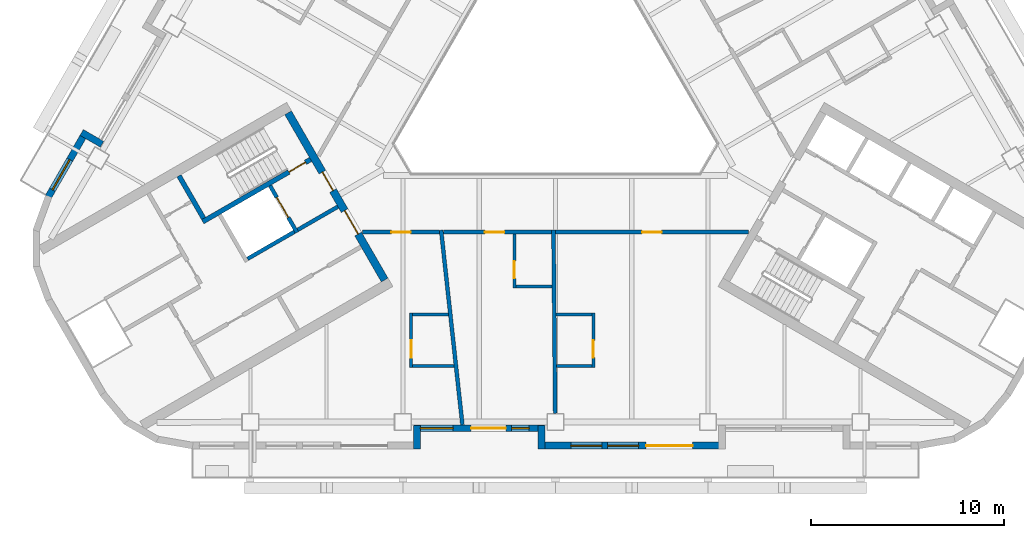
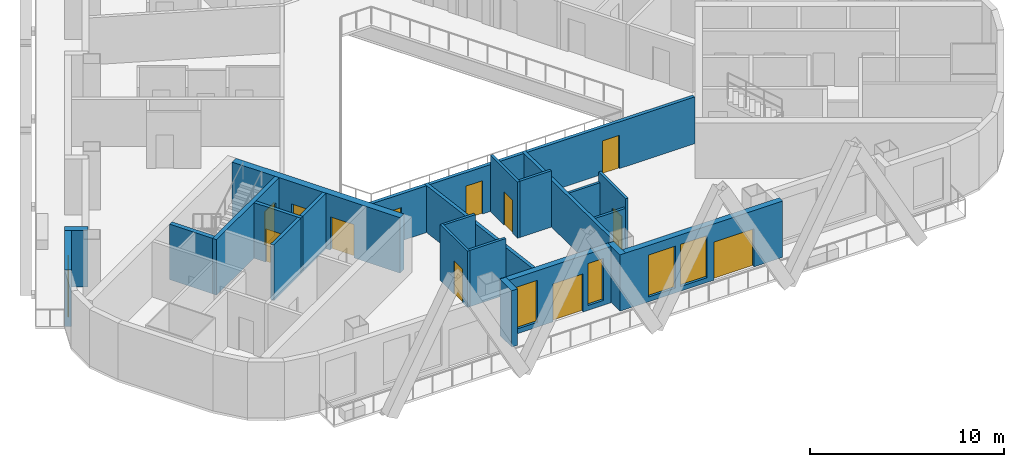
# One storey, part 3 of 14: 25 walls, 12 doors, 5 windows, 17 openings.
"""IFC4 building model written with IfcOpenShell, lengths in metres."""

from ifc_helpers import new_model, si_unit, direction, frame, frame_2d, origin, place, context, subcontext, project, spatial, rectangle, extrude, material, layer, layer_set, type_object, element, fill, save


model = new_model("IFC4")

# Units and contexts
model_context = context("Model", 3, precision=1e-05, world=origin(), true_north=direction((0.0, 1.0)))
body_context = subcontext(model_context, "Body", "Model", "MODEL_VIEW")
ifc_project = project(units=[si_unit("LENGTHUNIT", "METRE"), si_unit("AREAUNIT", "SQUARE_METRE"), si_unit("VOLUMEUNIT", "CUBIC_METRE"), si_unit("PLANEANGLEUNIT", "RADIAN"), si_unit("MASSUNIT", "GRAM", prefix="KILO")], contexts=[model_context])

# Site, building, storey
site_placement = place(None, origin())
site = spatial("IfcSite", under=ifc_project, at=site_placement, CompositionType="ELEMENT")
building_placement = place(site_placement, origin())
building = spatial("IfcBuilding", under=site, at=building_placement, Name="Apuvela Tower Hotel", CompositionType="ELEMENT")
storey_placement = place(building_placement, frame((0.0, 0.0, 120.5)))
storey = spatial("IfcBuildingStorey", under=building, at=storey_placement, Name="L28", CompositionType="ELEMENT", Elevation=120.5)

# Wall, openings, doors
ifc_material_1 = material(Name="Concrete C50/60", Category="concrete")
ifc_layer_1 = layer(ifc_material_1, 0.39990234375)
ifc_layer_set_1 = layer_set([ifc_layer_1], Name="COR-WALL-CORE-400")
wall_type_1 = type_object("IfcWallType", Name="COR-WALL-CORE-400", PredefinedType="SHEAR", material=ifc_layer_set_1)
wall_1_placement = place(storey_placement, frame((-13.844970703125, -2.219970703125, 0.0), z_axis=(0.0, 0.0, 1.0), x_axis=(0.500004234368, -0.866022959057, 0.0)))
wall_1 = element("IfcWall", 1, at=wall_1_placement, inside=storey, type_object=wall_type_1, Name="Core wall SW", PredefinedType="SHEAR", context=body_context, shape_type="SweptSolid", body=[
    extrude(rectangle(XDim=10.0, YDim=0.39990234375, at=frame_2d((5.0, 0.0))), origin(), (0.0, 0.0, 1.0), 3.5),
])
opening_1_placement = place(wall_1_placement, frame((3.550048828125, 0.0, 0.0)))
opening_1 = element("IfcOpeningElement", 2, at=opening_1_placement, cuts=wall_1, Name="Opening W-FD", PredefinedType="OPENING", context=body_context, shape_type="SweptSolid", body=[
    extrude(rectangle(XDim=1.10009765625, YDim=2.10009765625, at=frame_2d((0.550048828125, 1.050048828125))), frame((0.0, 0.2099609375, 0.0), z_axis=(0.0, -1.0, 0.0), x_axis=(1.0, 0.0, 0.0)), (0.0, 0.0, 1.0), 0.419921875),
])
opening_2_placement = place(wall_1_placement, frame((5.85009765625, 0.0, 0.0)))
opening_2 = element("IfcOpeningElement", 3, at=opening_2_placement, cuts=wall_1, Name="Opening W-GD", PredefinedType="OPENING", context=body_context, shape_type="SweptSolid", body=[
    extrude(rectangle(XDim=1.39990234375, YDim=2.10009765625, at=frame_2d((0.699951171875, 1.050048828125))), frame((0.0, 0.2099609375, 0.0), z_axis=(0.0, -1.0, 0.0), x_axis=(1.0, 0.0, 0.0)), (0.0, 0.0, 1.0), 0.419921875),
])
ifc_material_2 = material(Name="Steel fire door, powder coated", Category="steel")
door_type_1 = type_object("IfcDoorType", Name="COR-FD-1100", OperationType="NOTDEFINED", PredefinedType="DOOR", material=ifc_material_2)
door_1_placement = place(opening_1_placement, frame((1.10009765625, 0.0, 0.0), z_axis=(0.0, 0.0, 1.0), x_axis=(-1.0, 0.0, 0.0)))
door_1 = element("IfcDoor", 4, at=door_1_placement, inside=storey, type_object=door_type_1, Name="Firefighting lobby door W-FD", OperationType="SINGLE_SWING_LEFT", OverallHeight=2.10009765625, OverallWidth=1.10009765625, PredefinedType="DOOR", context=body_context, shape_type="SweptSolid", body=[
    extrude(rectangle(XDim=1.10009765625, YDim=2.10009765625, at=frame_2d((0.550048828125, 1.050048828125))), frame((0.0, 0.02490234375, 0.0), z_axis=(0.0, -1.0, 0.0), x_axis=(1.0, 0.0, 0.0)), (0.0, 0.0, 1.0), 0.050048828125),
])
fill(opening_1, door_1)
ifc_material_3 = material(Name="Glazed steel fire door", Category="steel")
door_type_2 = type_object("IfcDoorType", Name="COR-GD-1400", OperationType="DOUBLE_DOOR_SINGLE_SWING", PredefinedType="DOOR", material=ifc_material_3)
door_2_placement = place(opening_2_placement, frame((1.39990234375, 0.0, 0.0), z_axis=(0.0, 0.0, 1.0), x_axis=(-1.0, 0.0, 0.0)))
door_2 = element("IfcDoor", 5, at=door_2_placement, inside=storey, type_object=door_type_2, Name="Lift lobby door W-GD", OperationType="DOUBLE_DOOR_SINGLE_SWING", OverallHeight=2.10009765625, OverallWidth=1.39990234375, PredefinedType="DOOR", context=body_context, shape_type="SweptSolid", body=[
    extrude(rectangle(XDim=1.39990234375, YDim=2.10009765625, at=frame_2d((0.699951171875, 1.050048828125))), frame((0.0, 0.02490234375, 0.0), z_axis=(0.0, -1.0, 0.0), x_axis=(1.0, 0.0, 0.0)), (0.0, 0.0, 1.0), 0.050048828125),
])
fill(opening_2, door_2)

# Wall, opening, door
ifc_layer_2 = layer(ifc_material_1, 0.199951171875)
ifc_layer_set_2 = layer_set([ifc_layer_2], Name="COR-WALL-SHAFT-200")
wall_type_2 = type_object("IfcWallType", Name="COR-WALL-SHAFT-200", PredefinedType="SHEAR", material=ifc_layer_set_2)
wall_2_placement = place(storey_placement, frame((-14.783203125, -5.99462890625, 0.0), z_axis=(0.0, 0.0, 1.0), x_axis=(0.49994636267, -0.866056369097, 0.0)))
wall_2 = element("IfcWall", 6, at=wall_2_placement, inside=storey, type_object=wall_type_2, Name="Shaft wall SW", PredefinedType="SHEAR", context=body_context, shape_type="SweptSolid", body=[
    extrude(rectangle(XDim=2.800048828125, YDim=0.199951171875, at=frame_2d((1.39990234375, 0.0))), origin(), (0.0, 0.0, 1.0), 3.5),
])
opening_3_placement = place(wall_2_placement, frame((0.699951171875, 0.0, 0.0)))
opening_3 = element("IfcOpeningElement", 7, at=opening_3_placement, cuts=wall_2, Name="Opening W-LD-FS2", PredefinedType="OPENING", context=body_context, shape_type="SweptSolid", body=[
    extrude(rectangle(XDim=1.199951171875, YDim=2.10009765625, at=frame_2d((0.60009765625, 1.050048828125))), frame((0.0, 0.10986328125, 0.0), z_axis=(0.0, -1.0, 0.0), x_axis=(1.0, 0.0, 0.0)), (0.0, 0.0, 1.0), 0.219970703125),
])
ifc_material_4 = material(Name="Stainless steel lift landing door", Category="steel")
door_type_3 = type_object("IfcDoorType", Name="COR-LD-1200", OperationType="DOUBLE_DOOR_SLIDING", PredefinedType="DOOR", material=ifc_material_4)
door_3_placement = place(opening_3_placement, origin())
door_3 = element("IfcDoor", 8, at=door_3_placement, inside=storey, type_object=door_type_3, Name="Lift landing door W-LD-FS2", OperationType="DOUBLE_DOOR_SLIDING", OverallHeight=2.10009765625, OverallWidth=1.199951171875, PredefinedType="DOOR", context=body_context, shape_type="SweptSolid", body=[
    extrude(rectangle(XDim=1.199951171875, YDim=2.10009765625, at=frame_2d((0.60009765625, 1.050048828125))), frame((0.0, 0.02490234375, 0.0), z_axis=(0.0, -1.0, 0.0), x_axis=(1.0, 0.0, 0.0)), (0.0, 0.0, 1.0), 0.050048828125),
])
fill(opening_3, door_3)

# Walls
wall_3_placement = place(storey_placement, frame((-13.519775390625, -8.383056640625, 0.0), z_axis=(0.0, 0.0, 1.0), x_axis=(-0.866034573852, -0.49998411664, 0.0)))
element("IfcWall", 9, at=wall_3_placement, inside=storey, type_object=wall_type_2, Name="Shaft wall SW", PredefinedType="SHEAR", context=body_context, shape_type="SweptSolid", body=[
    extrude(rectangle(XDim=2.7998046875, YDim=0.199951171875, at=frame_2d((1.39990234375, 0.0))), origin(), (0.0, 0.0, 1.0), 3.5),
])
wall_4_placement = place(storey_placement, frame((-11.26806640625, -7.0830078125, 0.0), z_axis=(0.0, 0.0, 1.0), x_axis=(-0.866050077142, -0.499957262057, 0.0)))
element("IfcWall", 10, at=wall_4_placement, inside=storey, type_object=wall_type_2, Name="Shaft wall SW", PredefinedType="SHEAR", context=body_context, shape_type="SweptSolid", body=[
    extrude(rectangle(XDim=2.400146484375, YDim=0.199951171875, at=frame_2d((1.2001953125, 0.0))), origin(), (0.0, 0.0, 1.0), 3.5),
])

# Wall, opening, door
ifc_layer_3 = layer(ifc_material_1, 0.25)
ifc_layer_set_3 = layer_set([ifc_layer_3], Name="COR-WALL-STAIR-250")
wall_type_3 = type_object("IfcWallType", Name="COR-WALL-STAIR-250", PredefinedType="SHEAR", material=ifc_layer_set_3)
wall_5_placement = place(storey_placement, frame((-12.6806640625, -4.636474609375, 0.0), z_axis=(0.0, 0.0, 1.0), x_axis=(-0.866021702275, -0.500006411147, 0.0)))
wall_5 = element("IfcWall", 11, at=wall_5_placement, inside=storey, type_object=wall_type_3, Name="Stair wall SW", PredefinedType="SHEAR", context=body_context, shape_type="SweptSolid", body=[
    extrude(rectangle(XDim=6.4501953125, YDim=0.25, at=frame_2d((3.22509765625, 0.0))), origin(), (0.0, 0.0, 1.0), 3.5),
])
opening_4_placement = place(wall_5_placement, frame((0.300048828125, 0.0, 0.0)))
opening_4 = element("IfcOpeningElement", 12, at=opening_4_placement, cuts=wall_5, Name="Opening W-SD", PredefinedType="OPENING", context=body_context, shape_type="SweptSolid", body=[
    extrude(rectangle(XDim=1.0, YDim=2.10009765625, at=frame_2d((0.5, 1.050048828125))), frame((0.0, 0.135009765625, 0.0), z_axis=(0.0, -1.0, 0.0), x_axis=(1.0, 0.0, 0.0)), (0.0, 0.0, 1.0), 0.27001953125),
])
door_type_4 = type_object("IfcDoorType", Name="COR-SD-1000", OperationType="NOTDEFINED", PredefinedType="DOOR", material=ifc_material_2)
door_4_placement = place(opening_4_placement, frame((1.0, 0.0, 0.0), z_axis=(0.0, 0.0, 1.0), x_axis=(-1.0, 0.0, 0.0)))
door_4 = element("IfcDoor", 13, at=door_4_placement, inside=storey, type_object=door_type_4, Name="Stair door W-SD", OperationType="SINGLE_SWING_LEFT", OverallHeight=2.10009765625, OverallWidth=1.0, PredefinedType="DOOR", context=body_context, shape_type="SweptSolid", body=[
    extrude(rectangle(XDim=1.0, YDim=2.10009765625, at=frame_2d((0.5, 1.050048828125))), frame((0.0, 0.02490234375, 0.0), z_axis=(0.0, -1.0, 0.0), x_axis=(1.0, 0.0, 0.0)), (0.0, 0.0, 1.0), 0.050048828125),
])
fill(opening_4, door_4)

# Walls
wall_6_placement = place(storey_placement, frame((-19.49560546875, -5.482421875, 0.0), z_axis=(0.0, 0.0, 1.0), x_axis=(0.499990435942, -0.866030925526, 0.0)))
element("IfcWall", 14, at=wall_6_placement, inside=storey, type_object=wall_type_3, Name="Stair wall SW", PredefinedType="SHEAR", context=body_context, shape_type="SweptSolid", body=[
    extrude(rectangle(XDim=2.5498046875, YDim=0.25, at=frame_2d((1.27490234375, 0.0))), origin(), (0.0, 0.0, 1.0), 3.5),
])
ifc_material_5 = material(Name="Concrete C40/50, dark pigmented precast panel", Category="concrete")
ifc_layer_4 = layer(ifc_material_5, 0.35009765625)
ifc_layer_set_4 = layer_set([ifc_layer_4], Name="ENV-WALL-350")
wall_type_4 = type_object("IfcWallType", Name="ENV-WALL-350", PredefinedType="SOLIDWALL", material=ifc_layer_set_4)
wall_7_placement = place(storey_placement, frame((-23.48095703125, -3.85009765625, 0.0), z_axis=(0.0, 0.0, 1.0), x_axis=(-0.866092288191, 0.499884134912, 0.0)))
element("IfcWall", 15, at=wall_7_placement, inside=storey, type_object=wall_type_4, Name="External wall L28-08", PredefinedType="SOLIDWALL", context=body_context, shape_type="SweptSolid", body=[
    extrude(rectangle(XDim=1.219970703125, YDim=0.35009765625, at=frame_2d((0.60986328125, 0.0))), origin(), (0.0, 0.0, 1.0), 3.550048828125),
])

# Wall, opening, window
wall_8_placement = place(storey_placement, frame((-24.298583984375, -3.17626953125, 0.0), z_axis=(0.0, 0.0, 1.0), x_axis=(-0.500028278809, -0.866009076391, 0.0)))
wall_8 = element("IfcWall", 16, at=wall_8_placement, inside=storey, type_object=wall_type_4, Name="External wall L28-09", PredefinedType="SOLIDWALL", context=body_context, shape_type="SweptSolid", body=[
    extrude(rectangle(XDim=3.915771484375, YDim=0.35009765625, at=frame_2d((1.9580078125, 0.0))), origin(), (0.0, 0.0, 1.0), 3.550048828125),
])
opening_5_placement = place(wall_8_placement, frame((1.699951171875, 0.0, 0.300048828125)))
opening_5 = element("IfcOpeningElement", 17, at=opening_5_placement, cuts=wall_8, Name="Opening WN18", PredefinedType="OPENING", context=body_context, shape_type="SweptSolid", body=[
    extrude(rectangle(XDim=1.800048828125, YDim=2.64990234375, at=frame_2d((0.89990234375, 1.324951171875))), frame((0.0, 0.18505859375, 0.0), z_axis=(0.0, -1.0, 0.0), x_axis=(1.0, 0.0, 0.0)), (0.0, 0.0, 1.0), 0.3701171875),
])
ifc_material_6 = material(Name="Glass, dark tinted laminated insulated glazing unit", Category="glass")
window_type_1 = type_object("IfcWindowType", Name="ENV-WIN-1800x2650", PartitioningType="SINGLE_PANEL", PredefinedType="WINDOW", material=ifc_material_6)
window_1_placement = place(opening_5_placement, origin())
window_1 = element("IfcWindow", 18, at=window_1_placement, inside=storey, type_object=window_type_1, Name="Window WN18", OverallHeight=2.64990234375, OverallWidth=1.800048828125, PartitioningType="SINGLE_PANEL", PredefinedType="WINDOW", context=body_context, shape_type="SweptSolid", body=[
    extrude(rectangle(XDim=1.800048828125, YDim=2.64990234375, at=frame_2d((0.89990234375, 1.324951171875))), frame((0.0, 0.030029296875, 0.0), z_axis=(0.0, -1.0, 0.0), x_axis=(1.0, 0.0, 0.0)), (0.0, 0.0, 1.0), 0.06005859375),
])
fill(opening_5, window_1)

# Wall
wall_9_placement = place(storey_placement, frame((-7.175048828125, -19.6298828125, 0.0), z_axis=(0.0, 0.0, 1.0), x_axis=(0.0, 1.0, 0.0)))
element("IfcWall", 19, at=wall_9_placement, inside=storey, type_object=wall_type_4, Name="External wall L28-18", PredefinedType="SOLIDWALL", context=body_context, shape_type="SweptSolid", body=[
    extrude(rectangle(XDim=1.219970703125, YDim=0.35009765625, at=frame_2d((0.60986328125, 0.0))), origin(), (0.0, 0.0, 1.0), 3.550048828125),
])

# Wall, openings, door, windows
wall_10_placement = place(storey_placement, frame((-7.320068359375, -18.554931640625, 0.0), z_axis=(0.0, 0.0, 1.0), x_axis=(1.0, 0.0, 0.0)))
wall_10 = element("IfcWall", 20, at=wall_10_placement, inside=storey, type_object=wall_type_4, Name="External wall L28-19", PredefinedType="SOLIDWALL", context=body_context, shape_type="SweptSolid", body=[
    extrude(rectangle(XDim=6.739990234375, YDim=0.35009765625, at=frame_2d((3.3701171875, 0.0))), origin(), (0.0, 0.0, 1.0), 3.550048828125),
])
opening_6_placement = place(wall_10_placement, frame((0.3203125, 0.0, 0.300048828125)))
opening_6 = element("IfcOpeningElement", 21, at=opening_6_placement, cuts=wall_10, Name="Opening WN17", PredefinedType="OPENING", context=body_context, shape_type="SweptSolid", body=[
    extrude(rectangle(XDim=1.699951171875, YDim=2.64990234375, at=frame_2d((0.85009765625, 1.324951171875))), frame((0.0, 0.18505859375, 0.0), z_axis=(0.0, -1.0, 0.0), x_axis=(1.0, 0.0, 0.0)), (0.0, 0.0, 1.0), 0.3701171875),
])
opening_7_placement = place(wall_10_placement, frame((2.951416015625, 0.0, 0.0)))
opening_7 = element("IfcOpeningElement", 22, at=opening_7_placement, cuts=wall_10, Name="Opening BD18", PredefinedType="OPENING", context=body_context, shape_type="SweptSolid", body=[
    extrude(rectangle(XDim=1.800048828125, YDim=2.39990234375, at=frame_2d((0.89990234375, 1.199951171875))), frame((0.0, 0.18505859375, 0.0), z_axis=(0.0, -1.0, 0.0), x_axis=(1.0, 0.0, 0.0)), (0.0, 0.0, 1.0), 0.3701171875),
])
opening_8_placement = place(wall_10_placement, frame((5.05126953125, 0.0, 0.300048828125)))
opening_8 = element("IfcOpeningElement", 23, at=opening_8_placement, cuts=wall_10, Name="Opening WN09", PredefinedType="OPENING", context=body_context, shape_type="SweptSolid", body=[
    extrude(rectangle(XDim=0.89990234375, YDim=2.64990234375, at=frame_2d((0.449951171875, 1.324951171875))), frame((0.0, 0.18505859375, 0.0), z_axis=(0.0, -1.0, 0.0), x_axis=(1.0, 0.0, 0.0)), (0.0, 0.0, 1.0), 0.3701171875),
])
ifc_material_7 = material(Name="Aluminium 6063-T6, dark bronze anodised frame with dark tinted laminated glass", Category="aluminium")
door_type_5 = type_object("IfcDoorType", Name="ENV-DOOR-BALCONY-1800x2400", OperationType="SLIDING_TO_LEFT", PredefinedType="DOOR", material=ifc_material_7)
door_5_placement = place(opening_7_placement, frame((1.800048828125, 0.0, 0.0), z_axis=(0.0, 0.0, 1.0), x_axis=(-1.0, 0.0, 0.0)))
door_5 = element("IfcDoor", 24, at=door_5_placement, inside=storey, type_object=door_type_5, Name="Balcony door BD18", OperationType="SLIDING_TO_LEFT", OverallHeight=2.39990234375, OverallWidth=1.800048828125, PredefinedType="DOOR", context=body_context, shape_type="SweptSolid", body=[
    extrude(rectangle(XDim=1.800048828125, YDim=2.39990234375, at=frame_2d((0.89990234375, 1.199951171875))), frame((0.0, 0.02490234375, 0.0), z_axis=(0.0, -1.0, 0.0), x_axis=(1.0, 0.0, 0.0)), (0.0, 0.0, 1.0), 0.050048828125),
])
fill(opening_7, door_5)
window_type_2 = type_object("IfcWindowType", Name="ENV-WIN-1700x2650", PartitioningType="SINGLE_PANEL", PredefinedType="WINDOW", material=ifc_material_6)
window_2_placement = place(opening_6_placement, origin())
window_2 = element("IfcWindow", 25, at=window_2_placement, inside=storey, type_object=window_type_2, Name="Window WN17", OverallHeight=2.64990234375, OverallWidth=1.699951171875, PartitioningType="SINGLE_PANEL", PredefinedType="WINDOW", context=body_context, shape_type="SweptSolid", body=[
    extrude(rectangle(XDim=1.699951171875, YDim=2.64990234375, at=frame_2d((0.85009765625, 1.324951171875))), frame((0.0, 0.030029296875, 0.0), z_axis=(0.0, -1.0, 0.0), x_axis=(1.0, 0.0, 0.0)), (0.0, 0.0, 1.0), 0.06005859375),
])
fill(opening_6, window_2)
window_type_3 = type_object("IfcWindowType", Name="ENV-WIN-900x2650", PartitioningType="SINGLE_PANEL", PredefinedType="WINDOW", material=ifc_material_6)
window_3_placement = place(opening_8_placement, origin())
window_3 = element("IfcWindow", 26, at=window_3_placement, inside=storey, type_object=window_type_3, Name="Window WN09", OverallHeight=2.64990234375, OverallWidth=0.89990234375, PartitioningType="SINGLE_PANEL", PredefinedType="WINDOW", context=body_context, shape_type="SweptSolid", body=[
    extrude(rectangle(XDim=0.89990234375, YDim=2.64990234375, at=frame_2d((0.449951171875, 1.324951171875))), frame((0.0, 0.030029296875, 0.0), z_axis=(0.0, -1.0, 0.0), x_axis=(1.0, 0.0, 0.0)), (0.0, 0.0, 1.0), 0.06005859375),
])
fill(opening_8, window_3)

# Wall
wall_11_placement = place(storey_placement, frame((-0.72509765625, -18.409912109375, 0.0), z_axis=(0.0, 0.0, 1.0), x_axis=(0.0, -1.0, 0.0)))
element("IfcWall", 27, at=wall_11_placement, inside=storey, type_object=wall_type_4, Name="External wall L28-20", PredefinedType="SOLIDWALL", context=body_context, shape_type="SweptSolid", body=[
    extrude(rectangle(XDim=1.219970703125, YDim=0.35009765625, at=frame_2d((0.60986328125, 0.0))), origin(), (0.0, 0.0, 1.0), 3.550048828125),
])

# Wall, openings, door, windows
wall_12_placement = place(storey_placement, frame((-0.89990234375, -19.455078125, 0.0), z_axis=(0.0, 0.0, 1.0), x_axis=(1.0, 0.0, 0.0)))
wall_12 = element("IfcWall", 28, at=wall_12_placement, inside=storey, type_object=wall_type_4, Name="External wall L28-21", PredefinedType="SOLIDWALL", context=body_context, shape_type="SweptSolid", body=[
    extrude(rectangle(XDim=9.699951171875, YDim=0.35009765625, at=frame_2d((4.85009765625, 0.0))), origin(), (0.0, 0.0, 1.0), 3.550048828125),
])
opening_9_placement = place(wall_12_placement, frame((5.60009765625, 0.0, 0.0)))
opening_9 = element("IfcOpeningElement", 29, at=opening_9_placement, cuts=wall_12, Name="Opening BD24", PredefinedType="OPENING", context=body_context, shape_type="SweptSolid", body=[
    extrude(rectangle(XDim=2.39990234375, YDim=2.39990234375, at=frame_2d((1.199951171875, 1.199951171875))), frame((0.0, 0.18505859375, 0.0), z_axis=(0.0, -1.0, 0.0), x_axis=(1.0, 0.0, 0.0)), (0.0, 0.0, 1.0), 0.3701171875),
])
opening_10_placement = place(wall_12_placement, frame((1.7001953125, 0.0, 0.300048828125)))
opening_10 = element("IfcOpeningElement", 30, at=opening_10_placement, cuts=wall_12, Name="Opening WN16", PredefinedType="OPENING", context=body_context, shape_type="SweptSolid", body=[
    extrude(rectangle(XDim=1.60009765625, YDim=2.64990234375, at=frame_2d((0.800048828125, 1.324951171875))), frame((0.0, 0.18505859375, 0.0), z_axis=(0.0, -1.0, 0.0), x_axis=(1.0, 0.0, 0.0)), (0.0, 0.0, 1.0), 0.3701171875),
])
opening_11_placement = place(wall_12_placement, frame((3.60009765625, 0.0, 0.300048828125)))
opening_11 = element("IfcOpeningElement", 31, at=opening_11_placement, cuts=wall_12, Name="Opening WN16", PredefinedType="OPENING", context=body_context, shape_type="SweptSolid", body=[
    extrude(rectangle(XDim=1.60009765625, YDim=2.64990234375, at=frame_2d((0.800048828125, 1.324951171875))), frame((0.0, 0.18505859375, 0.0), z_axis=(0.0, -1.0, 0.0), x_axis=(1.0, 0.0, 0.0)), (0.0, 0.0, 1.0), 0.3701171875),
])
door_type_6 = type_object("IfcDoorType", Name="ENV-DOOR-BALCONY-2400x2400", OperationType="SLIDING_TO_LEFT", PredefinedType="DOOR", material=ifc_material_7)
door_6_placement = place(opening_9_placement, frame((2.39990234375, 0.0, 0.0), z_axis=(0.0, 0.0, 1.0), x_axis=(-1.0, 0.0, 0.0)))
door_6 = element("IfcDoor", 32, at=door_6_placement, inside=storey, type_object=door_type_6, Name="Balcony door BD24", OperationType="SLIDING_TO_LEFT", OverallHeight=2.39990234375, OverallWidth=2.39990234375, PredefinedType="DOOR", context=body_context, shape_type="SweptSolid", body=[
    extrude(rectangle(XDim=2.39990234375, YDim=2.39990234375, at=frame_2d((1.199951171875, 1.199951171875))), frame((0.0, 0.02490234375, 0.0), z_axis=(0.0, -1.0, 0.0), x_axis=(1.0, 0.0, 0.0)), (0.0, 0.0, 1.0), 0.050048828125),
])
fill(opening_9, door_6)
window_type_4 = type_object("IfcWindowType", Name="ENV-WIN-1600x2650", PartitioningType="SINGLE_PANEL", PredefinedType="WINDOW", material=ifc_material_6)
window_4_placement = place(opening_10_placement, origin())
window_4 = element("IfcWindow", 33, at=window_4_placement, inside=storey, type_object=window_type_4, Name="Window WN16", OverallHeight=2.64990234375, OverallWidth=1.60009765625, PartitioningType="SINGLE_PANEL", PredefinedType="WINDOW", context=body_context, shape_type="SweptSolid", body=[
    extrude(rectangle(XDim=1.60009765625, YDim=2.64990234375, at=frame_2d((0.800048828125, 1.324951171875))), frame((0.0, 0.030029296875, 0.0), z_axis=(0.0, -1.0, 0.0), x_axis=(1.0, 0.0, 0.0)), (0.0, 0.0, 1.0), 0.06005859375),
])
fill(opening_10, window_4)
window_5_placement = place(opening_11_placement, origin())
window_5 = element("IfcWindow", 34, at=window_5_placement, inside=storey, type_object=window_type_4, Name="Window WN16", OverallHeight=2.64990234375, OverallWidth=1.60009765625, PartitioningType="SINGLE_PANEL", PredefinedType="WINDOW", context=body_context, shape_type="SweptSolid", body=[
    extrude(rectangle(XDim=1.60009765625, YDim=2.64990234375, at=frame_2d((0.800048828125, 1.324951171875))), frame((0.0, 0.030029296875, 0.0), z_axis=(0.0, -1.0, 0.0), x_axis=(1.0, 0.0, 0.0)), (0.0, 0.0, 1.0), 0.06005859375),
])
fill(opening_11, window_5)

# Walls
ifc_material_8 = material(Name="Gypsum board partition on twin steel stud", Category="steel")
ifc_layer_5 = layer(ifc_material_8, 0.199951171875)
ifc_layer_set_5 = layer_set([ifc_layer_5], Name="GST-PW1")
wall_type_5 = type_object("IfcWallType", Name="GST-PW1", PredefinedType="PARTITIONING", material=ifc_layer_set_5)
wall_13_placement = place(storey_placement, frame((-4.818603515625, -18.3798828125, 0.0), z_axis=(0.0, 0.0, 1.0), x_axis=(-0.108803544125, 0.994063272023, 0.0)))
element("IfcWall", 35, at=wall_13_placement, inside=storey, type_object=wall_type_5, Name="L28 partition 01", PredefinedType="PARTITIONING", context=body_context, shape_type="SweptSolid", body=[
    extrude(rectangle(XDim=10.14013671875, YDim=0.199951171875, at=frame_2d((5.070068359375, 0.0))), origin(), (0.0, 0.0, 1.0), 2.9599609375),
])
wall_14_placement = place(storey_placement, frame((-0.013916015625, -17.780029296875, 0.0), z_axis=(0.0, 0.0, 1.0), x_axis=(-0.00927078365, 0.999957025362, 0.0)))
element("IfcWall", 36, at=wall_14_placement, inside=storey, type_object=wall_type_5, Name="L28 partition 02", PredefinedType="PARTITIONING", context=body_context, shape_type="SweptSolid", body=[
    extrude(rectangle(XDim=9.48046875, YDim=0.199951171875, at=frame_2d((4.740234375, 0.0))), origin(), (0.0, 0.0, 1.0), 2.949951171875),
])

# Wall, opening, door
ifc_material_9 = material(Name="Gypsum board corridor wall on twin steel stud, acoustic", Category="steel")
ifc_layer_6 = layer(ifc_material_9, 0.199951171875)
ifc_layer_set_6 = layer_set([ifc_layer_6], Name="GST-PW2")
wall_type_6 = type_object("IfcWallType", Name="GST-PW2", PredefinedType="PARTITIONING", material=ifc_layer_set_6)
wall_15_placement = place(storey_placement, frame((-6.011474609375, -8.39990234375, 0.0), z_axis=(0.0, 0.0, 1.0), x_axis=(-1.0, 0.0, 0.0)))
wall_15 = element("IfcWall", 37, at=wall_15_placement, inside=storey, type_object=wall_type_6, Name="L28 partition 09", PredefinedType="PARTITIONING", context=body_context, shape_type="SweptSolid", body=[
    extrude(rectangle(XDim=3.976806640625, YDim=0.199951171875, at=frame_2d((1.98828125, 0.0))), origin(), (0.0, 0.0, 1.0), 2.949951171875),
])
opening_12_placement = place(wall_15_placement, frame((1.48828125, 0.0, 0.0)))
opening_12 = element("IfcOpeningElement", 38, at=opening_12_placement, cuts=wall_15, Name="Opening GD10-02", PredefinedType="OPENING", context=body_context, shape_type="SweptSolid", body=[
    extrude(rectangle(XDim=1.0, YDim=2.10009765625, at=frame_2d((0.5, 1.050048828125))), frame((0.0, 0.10986328125, 0.0), z_axis=(0.0, -1.0, 0.0), x_axis=(1.0, 0.0, 0.0)), (0.0, 0.0, 1.0), 0.219970703125),
])
ifc_material_10 = material(Name="Timber door leaf in steel frame", Category="steel")
door_type_7 = type_object("IfcDoorType", Name="GST-D1", OperationType="NOTDEFINED", PredefinedType="DOOR", material=ifc_material_10)
door_7_placement = place(opening_12_placement, origin())
door_7 = element("IfcDoor", 39, at=door_7_placement, inside=storey, type_object=door_type_7, Name="Door L28-02", OperationType="SINGLE_SWING_LEFT", OverallHeight=2.10009765625, OverallWidth=1.0, PredefinedType="DOOR", context=body_context, shape_type="SweptSolid", body=[
    extrude(rectangle(XDim=1.0, YDim=2.10009765625, at=frame_2d((0.5, 1.050048828125))), frame((0.0, 0.02490234375, 0.0), z_axis=(0.0, -1.0, 0.0), x_axis=(1.0, 0.0, 0.0)), (0.0, 0.0, 1.0), 0.050048828125),
])
fill(opening_12, door_7)

wall_16_placement = place(storey_placement, frame((-0.200927734375, -8.39990234375, 0.0), z_axis=(0.0, 0.0, 1.0), x_axis=(-1.0, 0.0, 0.0)))
wall_16 = element("IfcWall", 40, at=wall_16_placement, inside=storey, type_object=wall_type_6, Name="L28 partition 13", PredefinedType="PARTITIONING", context=body_context, shape_type="SweptSolid", body=[
    extrude(rectangle(XDim=5.609375, YDim=0.199951171875, at=frame_2d((2.8046875, 0.0))), origin(), (0.0, 0.0, 1.0), 2.949951171875),
])
opening_13_placement = place(wall_16_placement, frame((2.44921875, 0.0, 0.0)))
opening_13 = element("IfcOpeningElement", 41, at=opening_13_placement, cuts=wall_16, Name="Opening GD10-04", PredefinedType="OPENING", context=body_context, shape_type="SweptSolid", body=[
    extrude(rectangle(XDim=1.0, YDim=2.10009765625, at=frame_2d((0.5, 1.050048828125))), frame((0.0, 0.10986328125, 0.0), z_axis=(0.0, -1.0, 0.0), x_axis=(1.0, 0.0, 0.0)), (0.0, 0.0, 1.0), 0.219970703125),
])
door_8_placement = place(opening_13_placement, origin())
door_8 = element("IfcDoor", 42, at=door_8_placement, inside=storey, type_object=door_type_7, Name="Door L28-04", OperationType="SINGLE_SWING_RIGHT", OverallHeight=2.10009765625, OverallWidth=1.0, PredefinedType="DOOR", context=body_context, shape_type="SweptSolid", body=[
    extrude(rectangle(XDim=1.0, YDim=2.10009765625, at=frame_2d((0.5, 1.050048828125))), frame((0.0, 0.02490234375, 0.0), z_axis=(0.0, -1.0, 0.0), x_axis=(1.0, 0.0, 0.0)), (0.0, 0.0, 1.0), 0.050048828125),
])
fill(opening_13, door_8)

wall_17_placement = place(storey_placement, frame((9.98828125, -8.39990234375, 0.0), z_axis=(0.0, 0.0, 1.0), x_axis=(-1.0, 0.0, 0.0)))
wall_17 = element("IfcWall", 43, at=wall_17_placement, inside=storey, type_object=wall_type_6, Name="L28 partition 16", PredefinedType="PARTITIONING", context=body_context, shape_type="SweptSolid", body=[
    extrude(rectangle(XDim=9.9892578125, YDim=0.199951171875, at=frame_2d((4.99462890625, 0.0))), origin(), (0.0, 0.0, 1.0), 2.949951171875),
])
opening_14_placement = place(wall_17_placement, frame((4.49462890625, 0.0, 0.0)))
opening_14 = element("IfcOpeningElement", 44, at=opening_14_placement, cuts=wall_17, Name="Opening GD10-06", PredefinedType="OPENING", context=body_context, shape_type="SweptSolid", body=[
    extrude(rectangle(XDim=1.0, YDim=2.10009765625, at=frame_2d((0.5, 1.050048828125))), frame((0.0, 0.10986328125, 0.0), z_axis=(0.0, -1.0, 0.0), x_axis=(1.0, 0.0, 0.0)), (0.0, 0.0, 1.0), 0.219970703125),
])
door_9_placement = place(opening_14_placement, origin())
door_9 = element("IfcDoor", 45, at=door_9_placement, inside=storey, type_object=door_type_7, Name="Door L28-06", OperationType="SINGLE_SWING_RIGHT", OverallHeight=2.10009765625, OverallWidth=1.0, PredefinedType="DOOR", context=body_context, shape_type="SweptSolid", body=[
    extrude(rectangle(XDim=1.0, YDim=2.10009765625, at=frame_2d((0.5, 1.050048828125))), frame((0.0, 0.02490234375, 0.0), z_axis=(0.0, -1.0, 0.0), x_axis=(1.0, 0.0, 0.0)), (0.0, 0.0, 1.0), 0.050048828125),
])
fill(opening_14, door_9)

ifc_material_11 = material(Name="Moisture-resistant gypsum board wet wall on steel stud", Category="steel")
ifc_layer_7 = layer(ifc_material_11, 0.14990234375)
ifc_layer_set_7 = layer_set([ifc_layer_7], Name="GST-PW3")
wall_type_7 = type_object("IfcWallType", Name="GST-PW3", PredefinedType="PARTITIONING", material=ifc_layer_set_7)
wall_18_placement = place(storey_placement, frame((-7.476806640625, -12.60009765625, 0.0), z_axis=(0.0, 0.0, 1.0), x_axis=(0.0, -1.0, 0.0)))
wall_18 = element("IfcWall", 46, at=wall_18_placement, inside=storey, type_object=wall_type_7, Name="L28 partition 10", PredefinedType="PARTITIONING", context=body_context, shape_type="SweptSolid", body=[
    extrude(rectangle(XDim=2.7998046875, YDim=0.14990234375, at=frame_2d((1.39990234375, 0.0))), origin(), (0.0, 0.0, 1.0), 3.550048828125),
])
opening_15_placement = place(wall_18_placement, frame((1.39990234375, 0.0, 0.0)))
opening_15 = element("IfcOpeningElement", 47, at=opening_15_placement, cuts=wall_18, Name="Opening GD10-01", PredefinedType="OPENING", context=body_context, shape_type="SweptSolid", body=[
    extrude(rectangle(XDim=0.89990234375, YDim=2.10009765625, at=frame_2d((0.449951171875, 1.050048828125))), frame((0.0, 0.0849609375, 0.0), z_axis=(0.0, -1.0, 0.0), x_axis=(1.0, 0.0, 0.0)), (0.0, 0.0, 1.0), 0.169921875),
])
door_type_8 = type_object("IfcDoorType", Name="GST-D2", OperationType="NOTDEFINED", PredefinedType="DOOR", material=ifc_material_10)
door_10_placement = place(opening_15_placement, origin())
door_10 = element("IfcDoor", 48, at=door_10_placement, inside=storey, type_object=door_type_8, Name="Door L28-01", OperationType="SINGLE_SWING_RIGHT", OverallHeight=2.10009765625, OverallWidth=0.89990234375, PredefinedType="DOOR", context=body_context, shape_type="SweptSolid", body=[
    extrude(rectangle(XDim=0.89990234375, YDim=2.10009765625, at=frame_2d((0.449951171875, 1.050048828125))), frame((0.0, 0.02490234375, 0.0), z_axis=(0.0, -1.0, 0.0), x_axis=(1.0, 0.0, 0.0)), (0.0, 0.0, 1.0), 0.050048828125),
])
fill(opening_15, door_10)

# Walls
wall_19_placement = place(storey_placement, frame((-7.40185546875, -15.324951171875, 0.0), z_axis=(0.0, 0.0, 1.0), x_axis=(1.0, 0.0, 0.0)))
element("IfcWall", 49, at=wall_19_placement, inside=storey, type_object=wall_type_7, Name="L28 partition 11", PredefinedType="PARTITIONING", context=body_context, shape_type="SweptSolid", body=[
    extrude(rectangle(XDim=2.1484375, YDim=0.14990234375, at=frame_2d((1.07421875, 0.0))), origin(), (0.0, 0.0, 1.0), 3.550048828125),
])
wall_20_placement = place(storey_placement, frame((-7.40185546875, -12.675048828125, 0.0), z_axis=(0.0, 0.0, 1.0), x_axis=(1.0, 0.0, 0.0)))
element("IfcWall", 50, at=wall_20_placement, inside=storey, type_object=wall_type_7, Name="L28 partition 12", PredefinedType="PARTITIONING", context=body_context, shape_type="SweptSolid", body=[
    extrude(rectangle(XDim=1.858154296875, YDim=0.14990234375, at=frame_2d((0.92919921875, 0.0))), origin(), (0.0, 0.0, 1.0), 3.550048828125),
])

# Wall, opening, door
wall_21_placement = place(storey_placement, frame((-2.125, -8.5, 0.0), z_axis=(0.0, 0.0, 1.0), x_axis=(0.0, -1.0, 0.0)))
wall_21 = element("IfcWall", 51, at=wall_21_placement, inside=storey, type_object=wall_type_7, Name="L28 partition 14", PredefinedType="PARTITIONING", context=body_context, shape_type="SweptSolid", body=[
    extrude(rectangle(XDim=2.800048828125, YDim=0.14990234375, at=frame_2d((1.39990234375, 0.0))), origin(), (0.0, 0.0, 1.0), 3.550048828125),
])
opening_16_placement = place(wall_21_placement, frame((1.39990234375, 0.0, 0.0)))
opening_16 = element("IfcOpeningElement", 52, at=opening_16_placement, cuts=wall_21, Name="Opening GD10-03", PredefinedType="OPENING", context=body_context, shape_type="SweptSolid", body=[
    extrude(rectangle(XDim=0.89990234375, YDim=2.10009765625, at=frame_2d((0.449951171875, 1.050048828125))), frame((0.0, 0.0849609375, 0.0), z_axis=(0.0, -1.0, 0.0), x_axis=(1.0, 0.0, 0.0)), (0.0, 0.0, 1.0), 0.169921875),
])
door_11_placement = place(opening_16_placement, origin())
door_11 = element("IfcDoor", 53, at=door_11_placement, inside=storey, type_object=door_type_8, Name="Door L28-03", OperationType="SINGLE_SWING_RIGHT", OverallHeight=2.10009765625, OverallWidth=0.89990234375, PredefinedType="DOOR", context=body_context, shape_type="SweptSolid", body=[
    extrude(rectangle(XDim=0.89990234375, YDim=2.10009765625, at=frame_2d((0.449951171875, 1.050048828125))), frame((0.0, 0.02490234375, 0.0), z_axis=(0.0, -1.0, 0.0), x_axis=(1.0, 0.0, 0.0)), (0.0, 0.0, 1.0), 0.050048828125),
])
fill(opening_16, door_11)

# Wall
wall_22_placement = place(storey_placement, frame((-2.050048828125, -11.22509765625, 0.0), z_axis=(0.0, 0.0, 1.0), x_axis=(1.0, 0.0, 0.0)))
element("IfcWall", 54, at=wall_22_placement, inside=storey, type_object=wall_type_7, Name="L28 partition 15", PredefinedType="PARTITIONING", context=body_context, shape_type="SweptSolid", body=[
    extrude(rectangle(XDim=1.875244140625, YDim=0.14990234375, at=frame_2d((0.9375, 0.0))), origin(), (0.0, 0.0, 1.0), 3.550048828125),
])

# Wall, opening, door
wall_23_placement = place(storey_placement, frame((1.962890625, -15.39990234375, 0.0), z_axis=(0.0, 0.0, 1.0), x_axis=(0.0, 1.0, 0.0)))
wall_23 = element("IfcWall", 55, at=wall_23_placement, inside=storey, type_object=wall_type_7, Name="L28 partition 17", PredefinedType="PARTITIONING", context=body_context, shape_type="SweptSolid", body=[
    extrude(rectangle(XDim=2.7998046875, YDim=0.14990234375, at=frame_2d((1.39990234375, 0.0))), origin(), (0.0, 0.0, 1.0), 3.550048828125),
])
opening_17_placement = place(wall_23_placement, frame((0.5, 0.0, 0.0)))
opening_17 = element("IfcOpeningElement", 56, at=opening_17_placement, cuts=wall_23, Name="Opening GD10-05", PredefinedType="OPENING", context=body_context, shape_type="SweptSolid", body=[
    extrude(rectangle(XDim=0.89990234375, YDim=2.10009765625, at=frame_2d((0.449951171875, 1.050048828125))), frame((0.0, 0.0849609375, 0.0), z_axis=(0.0, -1.0, 0.0), x_axis=(1.0, 0.0, 0.0)), (0.0, 0.0, 1.0), 0.169921875),
])
door_12_placement = place(opening_17_placement, origin())
door_12 = element("IfcDoor", 57, at=door_12_placement, inside=storey, type_object=door_type_8, Name="Door L28-05", OperationType="SINGLE_SWING_LEFT", OverallHeight=2.10009765625, OverallWidth=0.89990234375, PredefinedType="DOOR", context=body_context, shape_type="SweptSolid", body=[
    extrude(rectangle(XDim=0.89990234375, YDim=2.10009765625, at=frame_2d((0.449951171875, 1.050048828125))), frame((0.0, 0.02490234375, 0.0), z_axis=(0.0, -1.0, 0.0), x_axis=(1.0, 0.0, 0.0)), (0.0, 0.0, 1.0), 0.050048828125),
])
fill(opening_17, door_12)

# Walls
wall_24_placement = place(storey_placement, frame((0.063232421875, -15.324951171875, 0.0), z_axis=(0.0, 0.0, 1.0), x_axis=(1.0, 0.0, 0.0)))
element("IfcWall", 58, at=wall_24_placement, inside=storey, type_object=wall_type_7, Name="L28 partition 18", PredefinedType="PARTITIONING", context=body_context, shape_type="SweptSolid", body=[
    extrude(rectangle(XDim=1.82470703125, YDim=0.14990234375, at=frame_2d((0.912353515625, 0.0))), origin(), (0.0, 0.0, 1.0), 2.949951171875),
])
wall_25_placement = place(storey_placement, frame((0.038818359375, -12.675048828125, 0.0), z_axis=(0.0, 0.0, 1.0), x_axis=(1.0, 0.0, 0.0)))
element("IfcWall", 59, at=wall_25_placement, inside=storey, type_object=wall_type_7, Name="L28 partition 19", PredefinedType="PARTITIONING", context=body_context, shape_type="SweptSolid", body=[
    extrude(rectangle(XDim=1.84912109375, YDim=0.14990234375, at=frame_2d((0.924560546875, 0.0))), origin(), (0.0, 0.0, 1.0), 2.949951171875),
])

save(model, "model.ifc")
